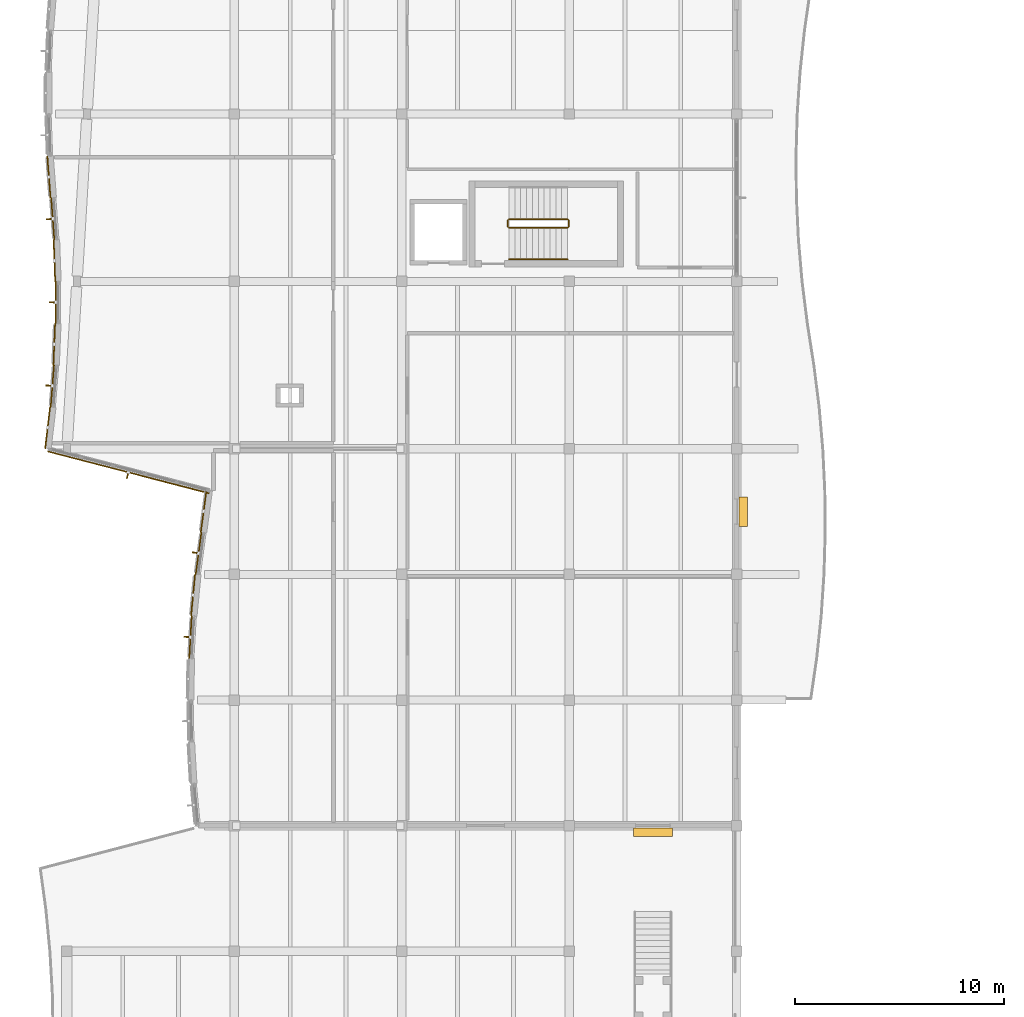
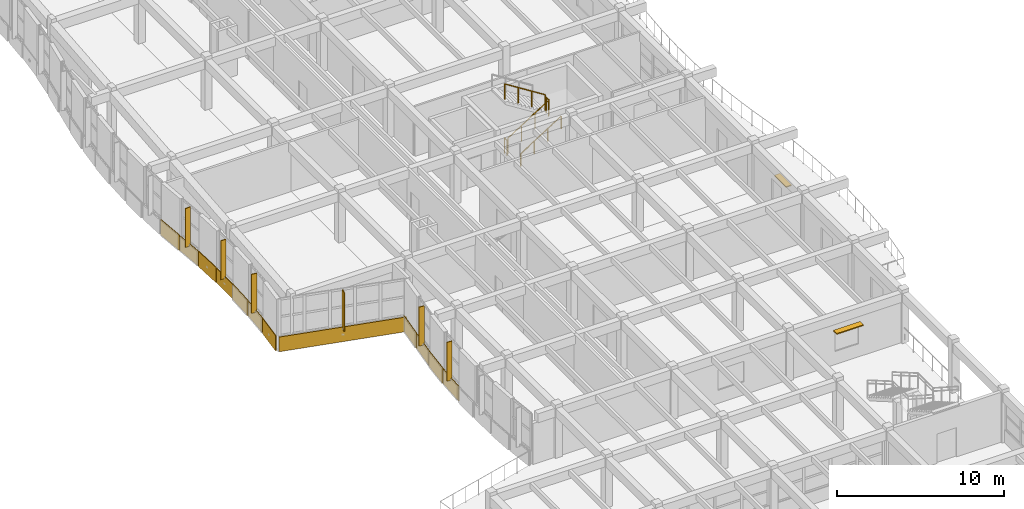
# One storey, part 78 of 89: 12 coverings, 8 shading devices, 5 railings.
"""IFC4 building model written with IfcOpenShell, lengths in metres."""

from ifc_helpers import new_model, si_unit, direction, frame, origin, origin_2d, place, context, subcontext, project, spatial, polyline, rectangle, circle, outline, extrude, material, layer, layer_set, type_object, element, save


model = new_model("IFC4")

# Units and contexts
model_context = context("Model", 3, precision=1e-05, world=origin(), true_north=direction((0.0, 1.0)))
body_context = subcontext(model_context, "Body", "Model", "MODEL_VIEW")
ifc_project = project(units=[si_unit("LENGTHUNIT", "METRE"), si_unit("AREAUNIT", "SQUARE_METRE"), si_unit("VOLUMEUNIT", "CUBIC_METRE"), si_unit("PLANEANGLEUNIT", "RADIAN"), si_unit("MASSUNIT", "GRAM", prefix="KILO")], contexts=[model_context])

# Site, building, storey
site_placement = place(None, origin())
site = spatial("IfcSite", under=ifc_project, at=site_placement, CompositionType="ELEMENT")
building_placement = place(site_placement, origin())
building = spatial("IfcBuilding", under=site, at=building_placement, Name="Tonlespit Floodbar School", CompositionType="ELEMENT")
storey_placement = place(building_placement, frame((0.0, 0.0, 4.5)))
storey = spatial("IfcBuildingStorey", under=building, at=storey_placement, Name="L01", CompositionType="ELEMENT", Elevation=4.5)

# Coverings
ifc_material_1 = material(Name="White Architectural Aluminium", Category="aluminium")
ifc_layer_1 = layer(ifc_material_1, 0.050048828125)
ifc_layer_set_1 = layer_set([ifc_layer_1], Name="White Architectural Aluminium")
covering_type = type_object("IfcCoveringType", Name="Cladding_WhiteBand_50", PredefinedType="CLADDING", material=ifc_layer_set_1)
covering_1_placement = place(storey_placement, frame((0.0, 0.0, -0.1201171875)))
element("IfcCovering", 1, at=covering_1_placement, inside=storey, type_object=covering_type, Name="L01 curved white spandrel cladding 0518", PredefinedType="CLADDING", context=body_context, shape_type="SweptSolid", body=[
    extrude(outline(polyline([(9.86962890625, 46.005859375), (9.985107421875, 48.005859375), (9.935302734375, 48.0087890625), (9.819580078125, 46.0087890625), (9.86962890625, 46.005859375)])), origin(), (0.0, 0.0, 1.0), 1.070068359375),
])
covering_2_placement = place(storey_placement, frame((0.0, 0.0, -0.1201171875)))
element("IfcCovering", 2, at=covering_2_placement, inside=storey, type_object=covering_type, Name="L01 curved white spandrel cladding 0519", PredefinedType="CLADDING", context=body_context, shape_type="SweptSolid", body=[
    extrude(outline(polyline([(9.95556640625, 48.012451171875), (10.148681640625, 50.012451171875), (10.09912109375, 50.017333984375), (9.90576171875, 48.017333984375), (9.95556640625, 48.012451171875)])), origin(), (0.0, 0.0, 1.0), 1.1201171875),
])
covering_3_placement = place(storey_placement, frame((0.0, 0.0, -0.1201171875)))
element("IfcCovering", 3, at=covering_3_placement, inside=storey, type_object=covering_type, Name="L01 curved white spandrel cladding 0520", PredefinedType="CLADDING", context=body_context, shape_type="SweptSolid", body=[
    extrude(outline(polyline([(10.17919921875, 50.013427734375), (10.450927734375, 52.013427734375), (10.4013671875, 52.020263671875), (10.129638671875, 50.020263671875), (10.17919921875, 50.013427734375)])), origin(), (0.0, 0.0, 1.0), 1.070068359375),
])
covering_4_placement = place(storey_placement, frame((0.0, 0.0, -0.1201171875)))
element("IfcCovering", 4, at=covering_4_placement, inside=storey, type_object=covering_type, Name="L01 curved white spandrel cladding 0521", PredefinedType="CLADDING", context=body_context, shape_type="SweptSolid", body=[
    extrude(outline(polyline([(10.421142578125, 52.017578125), (10.693115234375, 54.017578125), (10.6435546875, 54.024169921875), (10.37158203125, 52.024169921875), (10.421142578125, 52.017578125)])), origin(), (0.0, 0.0, 1.0), 1.1201171875),
])
covering_5_placement = place(storey_placement, frame((0.0, 0.0, -0.1201171875)))
element("IfcCovering", 5, at=covering_5_placement, inside=storey, type_object=covering_type, Name="L01 curved white spandrel cladding 0522", PredefinedType="CLADDING", context=body_context, shape_type="SweptSolid", body=[
    extrude(outline(polyline([(10.796630859375, 53.9033203125), (3.08984375, 55.9033203125), (3.077392578125, 55.854736328125), (10.7841796875, 53.854736328125), (10.796630859375, 53.9033203125)])), origin(), (0.0, 0.0, 1.0), 1.070068359375),
])
covering_6_placement = place(storey_placement, frame((0.0, 0.0, -0.1201171875)))
element("IfcCovering", 6, at=covering_6_placement, inside=storey, type_object=covering_type, Name="L01 curved white spandrel cladding 0523", PredefinedType="CLADDING", context=body_context, shape_type="SweptSolid", body=[
    extrude(outline(polyline([(2.98583984375, 56.01513671875), (3.221435546875, 58.01513671875), (3.171875, 58.02099609375), (2.936279296875, 56.02099609375), (2.98583984375, 56.01513671875)])), origin(), (0.0, 0.0, 1.0), 1.1201171875),
])
covering_7_placement = place(storey_placement, frame((0.0, 0.0, -0.1201171875)))
element("IfcCovering", 7, at=covering_7_placement, inside=storey, type_object=covering_type, Name="L01 curved white spandrel cladding 0524", PredefinedType="CLADDING", context=body_context, shape_type="SweptSolid", body=[
    extrude(outline(polyline([(3.2509765625, 58.0078125), (3.409423828125, 60.0078125), (3.359619140625, 60.011962890625), (3.201171875, 58.011962890625), (3.2509765625, 58.0078125)])), origin(), (0.0, 0.0, 1.0), 1.070068359375),
])
covering_8_placement = place(storey_placement, frame((0.0, 0.0, -0.1201171875)))
element("IfcCovering", 8, at=covering_8_placement, inside=storey, type_object=covering_type, Name="L01 curved white spandrel cladding 0525", PredefinedType="CLADDING", context=body_context, shape_type="SweptSolid", body=[
    extrude(outline(polyline([(3.379150390625, 60.00537109375), (3.460693359375, 62.00537109375), (3.41064453125, 62.00732421875), (3.3291015625, 60.00732421875), (3.379150390625, 60.00537109375)])), origin(), (0.0, 0.0, 1.0), 1.1201171875),
])
covering_9_placement = place(storey_placement, frame((0.0, 0.0, -0.1201171875)))
element("IfcCovering", 9, at=covering_9_placement, inside=storey, type_object=covering_type, Name="L01 curved white spandrel cladding 0526", PredefinedType="CLADDING", context=body_context, shape_type="SweptSolid", body=[
    extrude(outline(polyline([(3.490478515625, 62.000244140625), (3.4951171875, 64.000244140625), (3.445068359375, 64.000244140625), (3.440673828125, 62.000244140625), (3.490478515625, 62.000244140625)])), origin(), (0.0, 0.0, 1.0), 1.070068359375),
])
covering_10_placement = place(storey_placement, frame((0.0, 0.0, -0.1201171875)))
element("IfcCovering", 10, at=covering_10_placement, inside=storey, type_object=covering_type, Name="L01 curved white spandrel cladding 0527", PredefinedType="CLADDING", context=body_context, shape_type="SweptSolid", body=[
    extrude(outline(polyline([(3.465087890625, 63.9951171875), (3.391845703125, 65.9951171875), (3.341796875, 65.993408203125), (3.4150390625, 63.993408203125), (3.465087890625, 63.9951171875)])), origin(), (0.0, 0.0, 1.0), 1.1201171875),
])
covering_11_placement = place(storey_placement, frame((0.0, 0.0, -0.1201171875)))
element("IfcCovering", 11, at=covering_11_placement, inside=storey, type_object=covering_type, Name="L01 curved white spandrel cladding 0528", PredefinedType="CLADDING", context=body_context, shape_type="SweptSolid", body=[
    extrude(outline(polyline([(3.422119140625, 65.992431640625), (3.270263671875, 67.992431640625), (3.220458984375, 67.988525390625), (3.372314453125, 65.988525390625), (3.422119140625, 65.992431640625)])), origin(), (0.0, 0.0, 1.0), 1.070068359375),
])
covering_12_placement = place(storey_placement, frame((0.0, 0.0, -0.1201171875)))
element("IfcCovering", 12, at=covering_12_placement, inside=storey, type_object=covering_type, Name="L01 curved white spandrel cladding 0529", PredefinedType="CLADDING", context=body_context, shape_type="SweptSolid", body=[
    extrude(outline(polyline([(3.240478515625, 67.990234375), (3.088623046875, 69.990234375), (3.038818359375, 69.986328125), (3.1904296875, 67.986328125), (3.240478515625, 67.990234375)])), origin(), (0.0, 0.0, 1.0), 1.1201171875),
])

# Railings
ifc_material_2 = material(Name="Galvanised Steel", Category="steel")
railing_type_1 = type_object("IfcRailingType", Name="Guard_Int_1150", PredefinedType="BALUSTRADE", material=ifc_material_2)
railing_1_placement = place(storey_placement, frame((25.1201171875, 66.570068359375, 0.17724609375)))
element("IfcRailing", 13, at=railing_1_placement, inside=storey, type_object=railing_type_1, Name="L01 ST-C3 stair guard 1", PredefinedType="BALUSTRADE", context=body_context, shape_type="SweptSolid", body=[
    extrude(circle(Radius=0.02392578125, at=origin_2d()), frame((0.0, 0.0, 1.1259765625), z_axis=(0.844887892834, 0.0, 0.53494340686), x_axis=(0.0, 1.0, 0.0)), (0.0, 0.0, 1.0), 3.313720703125),
    extrude(circle(Radius=0.02099609375, at=origin_2d()), origin(), (0.0, 0.0, 1.0), 1.101806640625),
    extrude(circle(Radius=0.02099609375, at=origin_2d()), frame((0.933349609375, 0.0, 0.5908203125)), (0.0, 0.0, 1.0), 1.101806640625),
    extrude(circle(Radius=0.02099609375, at=origin_2d()), frame((1.866455078125, 0.0, 1.181884765625)), (0.0, 0.0, 1.0), 1.101806640625),
    extrude(circle(Radius=0.02099609375, at=origin_2d()), frame((2.7998046875, 0.0, 1.772705078125)), (0.0, 0.0, 1.0), 1.101806640625),
])
railing_2_placement = place(storey_placement, frame((27.969970703125, 66.6201171875, 1.949951171875)))
element("IfcRailing", 14, at=railing_2_placement, inside=storey, type_object=railing_type_1, Name="L01 ST-C3 stair guard 2", PredefinedType="BALUSTRADE", context=body_context, shape_type="SweptSolid", body=[
    extrude(circle(Radius=0.02392578125, at=origin_2d()), frame((0.0, 0.0, 1.1259765625), z_axis=(0.0, 1.0, 0.0), x_axis=(-1.0, 0.0, 0.0)), (0.0, 0.0, 1.0), 0.2998046875),
    extrude(circle(Radius=0.02099609375, at=origin_2d()), origin(), (0.0, 0.0, 1.0), 1.101806640625),
    extrude(circle(Radius=0.02099609375, at=origin_2d()), frame((0.0, 0.2998046875, 0.0)), (0.0, 0.0, 1.0), 1.101806640625),
])
railing_3_placement = place(storey_placement, frame((27.919921875, 66.969970703125, 2.127197265625)))
element("IfcRailing", 15, at=railing_3_placement, inside=storey, type_object=railing_type_1, Name="L01 ST-C3 stair guard 3", PredefinedType="BALUSTRADE", context=body_context, shape_type="SweptSolid", body=[
    extrude(circle(Radius=0.02392578125, at=origin_2d()), frame((0.0, 0.0, 1.1259765625), z_axis=(-0.844887892834, 0.0, 0.53494340686), x_axis=(0.0, -1.0, 0.0)), (0.0, 0.0, 1.0), 3.313720703125),
    extrude(circle(Radius=0.02099609375, at=origin_2d()), origin(), (0.0, 0.0, 1.0), 1.101806640625),
    extrude(circle(Radius=0.02099609375, at=origin_2d()), frame((-0.933349609375, 0.0, 0.5908203125)), (0.0, 0.0, 1.0), 1.101806640625),
    extrude(circle(Radius=0.02099609375, at=origin_2d()), frame((-1.866455078125, 0.0, 1.181884765625)), (0.0, 0.0, 1.0), 1.101806640625),
    extrude(circle(Radius=0.02099609375, at=origin_2d()), frame((-2.7998046875, 0.0, 1.772705078125)), (0.0, 0.0, 1.0), 1.101806640625),
])
railing_4_placement = place(storey_placement, frame((25.070068359375, 66.6201171875, 0.0)))
element("IfcRailing", 16, at=railing_4_placement, inside=storey, type_object=railing_type_1, Name="L01 ST-C3 stair guard 4", PredefinedType="BALUSTRADE", context=body_context, shape_type="SweptSolid", body=[
    extrude(circle(Radius=0.02392578125, at=origin_2d()), frame((0.0, 0.0, 1.1259765625), z_axis=(0.0, 1.0, 0.0), x_axis=(-1.0, 0.0, 0.0)), (0.0, 0.0, 1.0), 0.2998046875),
    extrude(circle(Radius=0.02099609375, at=origin_2d()), origin(), (0.0, 0.0, 1.0), 1.101806640625),
    extrude(circle(Radius=0.02099609375, at=origin_2d()), frame((0.0, 0.2998046875, 0.0)), (0.0, 0.0, 1.0), 1.101806640625),
])
railing_type_2 = type_object("IfcRailingType", Name="Handrail_Int_920", PredefinedType="HANDRAIL", material=ifc_material_2)
railing_5_placement = place(storey_placement, frame((25.1201171875, 65.050048828125, 0.17724609375)))
element("IfcRailing", 17, at=railing_5_placement, inside=storey, type_object=railing_type_2, Name="L01 ST-C3 stair handrail 1", PredefinedType="HANDRAIL", context=body_context, shape_type="SweptSolid", body=[
    extrude(circle(Radius=0.02392578125, at=origin_2d()), frame((0.0, 0.0, 0.89599609375), z_axis=(0.844887892834, 0.0, 0.53494340686), x_axis=(0.0, 1.0, 0.0)), (0.0, 0.0, 1.0), 3.313720703125),
    extrude(circle(Radius=0.02099609375, at=origin_2d()), origin(), (0.0, 0.0, 1.0), 0.871826171875),
    extrude(circle(Radius=0.02099609375, at=origin_2d()), frame((0.933349609375, 0.0, 0.5908203125)), (0.0, 0.0, 1.0), 0.871826171875),
    extrude(circle(Radius=0.02099609375, at=origin_2d()), frame((1.866455078125, 0.0, 1.181884765625)), (0.0, 0.0, 1.0), 0.871826171875),
    extrude(circle(Radius=0.02099609375, at=origin_2d()), frame((2.7998046875, 0.0, 1.772705078125)), (0.0, 0.0, 1.0), 0.871826171875),
])

# Shading devices
ifc_material_3 = material(Name="Anodised Aluminium", Category="aluminium")
ifc_layer_2 = layer(ifc_material_3, 0.080078125)
ifc_layer_set_2 = layer_set([ifc_layer_2], Name="Anodised Aluminium")
shading_device_type_1 = type_object("IfcShadingDeviceType", Name="Shading_MonsoonJalousie_400", PredefinedType="JALOUSIE", material=ifc_layer_set_2)
shading_device_1_placement = place(storey_placement, frame((36.318115234375, 53.0, 2.469970703125), z_axis=(0.0, 0.0, 1.0), x_axis=(0.0, -1.0, 0.0)))
element("IfcShadingDevice", 18, at=shading_device_1_placement, inside=storey, type_object=shading_device_type_1, Name="L01 monsoon jalousie 150", PredefinedType="JALOUSIE", context=body_context, shape_type="SweptSolid", body=[
    extrude(rectangle(XDim=1.39990234375, YDim=0.39990234375, at=origin_2d()), origin(), (0.0, 0.0, 1.0), 0.080078125),
])
shading_device_2_placement = place(storey_placement, frame((32.0, 37.681884765625, 2.469970703125), z_axis=(0.0, 0.0, 1.0), x_axis=(-1.0, 0.0, 0.0)))
element("IfcShadingDevice", 19, at=shading_device_2_placement, inside=storey, type_object=shading_device_type_1, Name="L01 monsoon jalousie 151", PredefinedType="JALOUSIE", context=body_context, shape_type="SweptSolid", body=[
    extrude(rectangle(XDim=1.85009765625, YDim=0.39990234375, at=origin_2d()), origin(), (0.0, 0.0, 1.0), 0.080078125),
])
ifc_material_4 = material(Name="Terracotta Anodised Aluminium", Category="masonry")
ifc_layer_3 = layer(ifc_material_4, 0.06005859375)
ifc_layer_set_3 = layer_set([ifc_layer_3], Name="Terracotta Anodised Aluminium")
shading_device_type_2 = type_object("IfcShadingDeviceType", Name="Shading_SolarFin_350", PredefinedType="USERDEFINED", material=ifc_layer_set_3)
for number, where, z_axis, x_axis, name in (
    (20, (9.767578125, 47.014892578125, 0.800048828125), (0.0, 0.0, 1.0), (0.057703421212, 0.998333769428, 0.0), "L01 vertical solar fin 134"),
    (21, (10.156494140625, 51.034912109375, 0.800048828125), (0.0, 0.0, 1.0), (0.134662424626, 0.990891533617, 0.0), "L01 vertical solar fin 135"),
    (22, (6.903076171875, 54.748291015625, 0.800048828125), (0.0, 0.0, 1.0), (-0.967937542799, 0.251190989567, 0.0), "L01 vertical solar fin 136"),
    (23, (3.170654296875, 59.0205078125, 0.800048828125), (0.0, 0.0, 1.0), (0.079001948152, 0.996874461599, 0.0), "L01 vertical solar fin 137"),
    (24, (3.332763671875, 63.00048828125, 0.800048828125), (0.0, 0.0, 1.0), (0.00220085841, 0.999997578108, 0.0), "L01 vertical solar fin 138"),
    (25, (3.1865234375, 66.980224609375, 0.800048828125), (0.0, 0.0, 1.0), (-0.075681836348, 0.997132017161, 0.0), "L01 vertical solar fin 139"),
):
    element("IfcShadingDevice", number, at=place(storey_placement, frame(where, z_axis=z_axis, x_axis=x_axis)), inside=storey, type_object=shading_device_type_2, Name=name, ObjectType="SOLAR FIN", PredefinedType="USERDEFINED", context=body_context, shape_type="SweptSolid", body=[
        extrude(rectangle(XDim=0.06005859375, YDim=0.35009765625, at=origin_2d()), origin(), (0.0, 0.0, 1.0), 2.85009765625),
    ])

save(model, "model.ifc")
